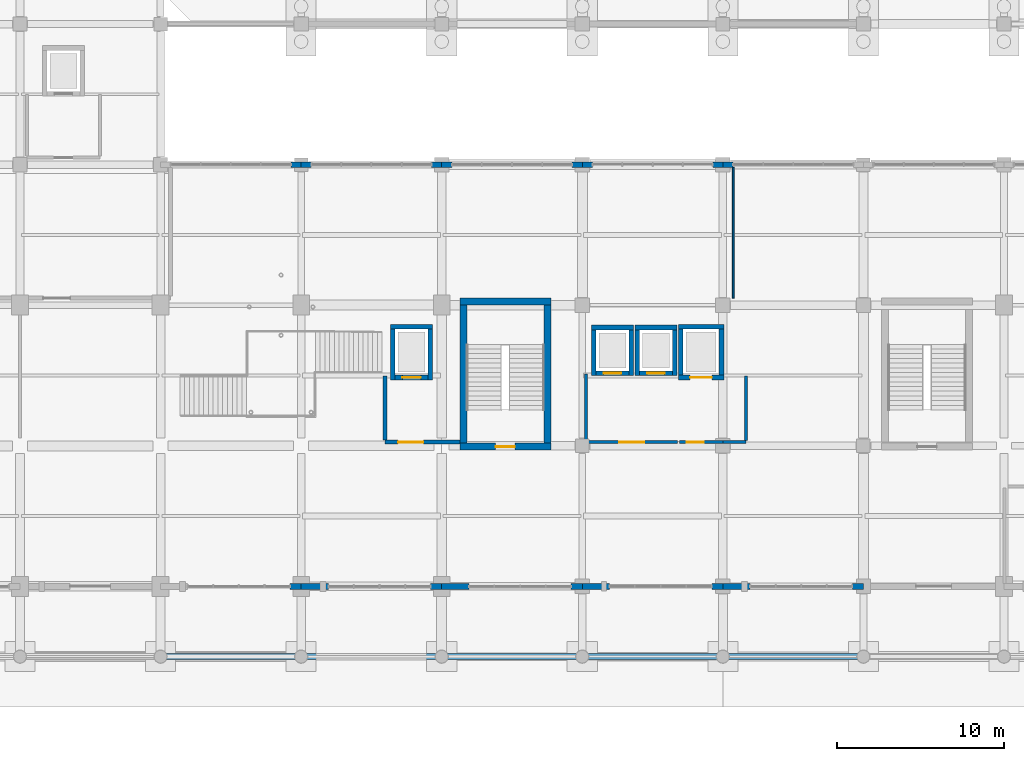
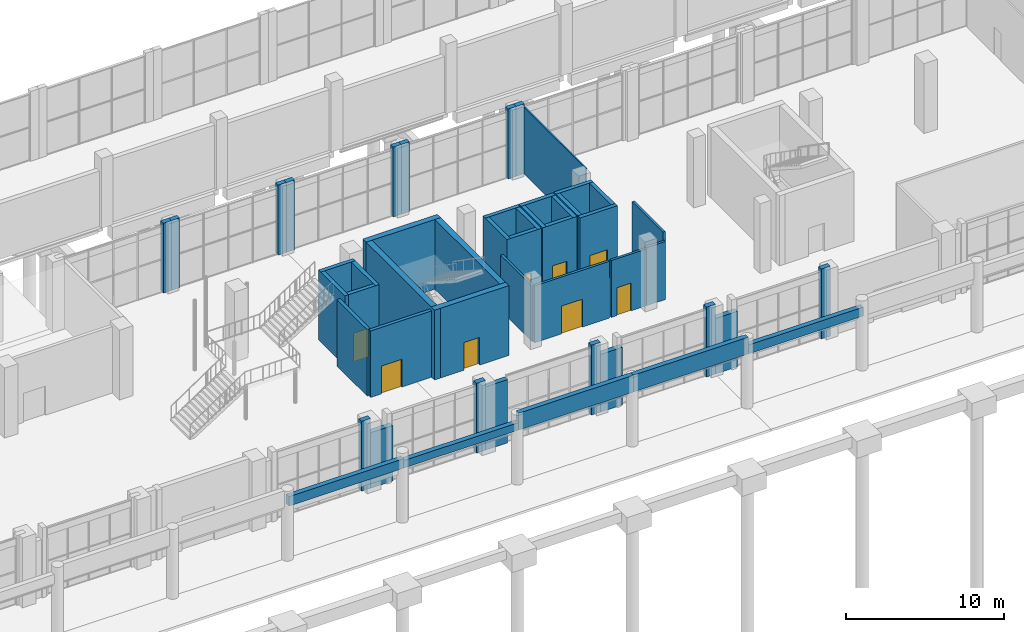
# One storey, part 66 of 82: 50 walls, 8 doors, 8 openings.
"""IFC4 building model written with IfcOpenShell, lengths in metres."""

from ifc_helpers import new_model, si_unit, derived_unit, direction, frame, frame_2d, origin, place, context, subcontext, project, spatial, rectangle, extrude, material, layer, layer_set, type_object, element, fill, save


model = new_model("IFC4")

# Units and contexts
model_context = context("Model", 3, precision=1e-05, world=origin(), true_north=direction((0.0, 1.0)))
body_context = subcontext(model_context, "Body", "Model", "MODEL_VIEW")
ifc_project = project(units=[si_unit("LENGTHUNIT", "METRE"), si_unit("AREAUNIT", "SQUARE_METRE"), si_unit("VOLUMEUNIT", "CUBIC_METRE"), si_unit("PLANEANGLEUNIT", "RADIAN"), si_unit("MASSUNIT", "GRAM", prefix="KILO"), derived_unit("THERMALTRANSMITTANCEUNIT", [(si_unit("POWERUNIT", "WATT"), 1), (si_unit("LENGTHUNIT", "METRE"), -2), (si_unit("THERMODYNAMICTEMPERATUREUNIT", "KELVIN"), -1)])], contexts=[model_context])

# Site, building, storey
site_placement = place(None, origin())
site = spatial("IfcSite", under=ifc_project, at=site_placement, CompositionType="ELEMENT")
building_placement = place(site_placement, origin())
building = spatial("IfcBuilding", under=site, at=building_placement, Name="Barrovel Congress Hotel", CompositionType="ELEMENT")
storey_placement = place(building_placement, origin())
storey = spatial("IfcBuildingStorey", under=building, at=storey_placement, Name="L00", CompositionType="ELEMENT", Elevation=0.0)

# Walls
ifc_material_1 = material(Name="Fired Clay Brick Masonry", Category="masonry")
ifc_layer_1 = layer(ifc_material_1, 0.35009765625)
ifc_layer_set_1 = layer_set([ifc_layer_1], Name="Fired Clay Brick Masonry")
wall_type_1 = type_object("IfcWallType", Name="EW-ARC350", PredefinedType="STANDARD", material=ifc_layer_set_1)
wall_1_placement = place(storey_placement, frame((58.800048828125, 0.0, 4.10009765625), z_axis=(0.0, 0.0, 1.0), x_axis=(1.0, 0.0, 0.0)))
element("IfcWall", 1, at=wall_1_placement, inside=storey, type_object=wall_type_1, Name="EW:L00:ARC:07", PredefinedType="STANDARD", context=body_context, shape_type="SweptSolid", body=[
    extrude(rectangle(XDim=8.39990234375, YDim=0.35009765625, at=frame_2d((4.199951171875, 0.0))), origin(), (0.0, 0.0, 1.0), 0.72998046875),
])
wall_2_placement = place(storey_placement, frame((67.199951171875, 0.0, 4.10009765625), z_axis=(0.0, 0.0, 1.0), x_axis=(1.0, 0.0, 0.0)))
element("IfcWall", 2, at=wall_2_placement, inside=storey, type_object=wall_type_1, Name="EW:L00:ARC:08", PredefinedType="STANDARD", context=body_context, shape_type="SweptSolid", body=[
    extrude(rectangle(XDim=8.400146484375, YDim=0.35009765625, at=frame_2d((4.2001953125, 0.0))), origin(), (0.0, 0.0, 1.0), 0.579833984375),
])
for number, where, z_axis, x_axis, name in (
    (3, (75.60009765625, 0.0, 4.10009765625), (0.0, 0.0, 1.0), (1.0, 0.0, 0.0), "EW:L00:ARC:09"),
    (4, (84.0, 0.0, 4.10009765625), (0.0, 0.0, 1.0), (1.0, 0.0, 0.0), "EW:L00:ARC:10"),
):
    element("IfcWall", number, at=place(storey_placement, frame(where, z_axis=z_axis, x_axis=x_axis)), inside=storey, type_object=wall_type_1, Name=name, PredefinedType="STANDARD", context=body_context, shape_type="SweptSolid", body=[
        extrude(rectangle(XDim=8.39990234375, YDim=0.35009765625, at=frame_2d((4.199951171875, 0.0))), origin(), (0.0, 0.0, 1.0), 1.2998046875),
    ])
wall_3_placement = place(storey_placement, frame((92.39990234375, 0.0, 4.10009765625), z_axis=(0.0, 0.0, 1.0), x_axis=(1.0, 0.0, 0.0)))
element("IfcWall", 5, at=wall_3_placement, inside=storey, type_object=wall_type_1, Name="EW:L00:ARC:11", PredefinedType="STANDARD", context=body_context, shape_type="SweptSolid", body=[
    extrude(rectangle(XDim=8.400146484375, YDim=0.35009765625, at=frame_2d((4.2001953125, 0.0))), origin(), (0.0, 0.0, 1.0), 0.685791015625),
])
ifc_layer_2 = layer(ifc_material_1, 0.340087890625)
ifc_layer_set_2 = layer_set([ifc_layer_2], Name="Fired Clay Brick Masonry")
wall_type_2 = type_object("IfcWallType", Name="EW-BRK340", PredefinedType="STANDARD", material=ifc_layer_set_2)
wall_4_placement = place(storey_placement, frame((93.0, 29.39990234375, 0.0), z_axis=(0.0, 0.0, 1.0), x_axis=(-1.0, 0.0, 0.0)))
element("IfcWall", 6, at=wall_4_placement, inside=storey, type_object=wall_type_2, Name="EW:L00:CSJ-L:11", PredefinedType="STANDARD", context=body_context, shape_type="SweptSolid", body=[
    extrude(rectangle(XDim=0.60009765625, YDim=0.340087890625, at=frame_2d((0.300048828125, 0.0))), origin(), (0.0, 0.0, 1.0), 5.39990234375),
])
wall_5_placement = place(storey_placement, frame((92.39990234375, 29.39990234375, 0.0), z_axis=(0.0, 0.0, 1.0), x_axis=(-1.0, 0.0, 0.0)))
element("IfcWall", 7, at=wall_5_placement, inside=storey, type_object=wall_type_2, Name="EW:L00:CSJ-R:10", PredefinedType="STANDARD", context=body_context, shape_type="SweptSolid", body=[
    extrude(rectangle(XDim=0.599853515625, YDim=0.340087890625, at=frame_2d((0.2998046875, 0.0))), origin(), (0.0, 0.0, 1.0), 5.39990234375),
])
for number, where, z_axis, x_axis, name in (
    (8, (84.60009765625, 29.39990234375, 0.0), (0.0, 0.0, 1.0), (-1.0, 0.0, 0.0), "EW:L00:CSJ-L:10"),
    (9, (84.0, 29.39990234375, 0.0), (0.0, 0.0, 1.0), (-1.0, 0.0, 0.0), "EW:L00:CSJ-R:9"),
):
    element("IfcWall", number, at=place(storey_placement, frame(where, z_axis=z_axis, x_axis=x_axis)), inside=storey, type_object=wall_type_2, Name=name, PredefinedType="STANDARD", context=body_context, shape_type="SweptSolid", body=[
        extrude(rectangle(XDim=0.60009765625, YDim=0.340087890625, at=frame_2d((0.300048828125, 0.0))), origin(), (0.0, 0.0, 1.0), 5.39990234375),
    ])
wall_6_placement = place(storey_placement, frame((76.199951171875, 29.39990234375, 0.0), z_axis=(0.0, 0.0, 1.0), x_axis=(-1.0, 0.0, 0.0)))
element("IfcWall", 10, at=wall_6_placement, inside=storey, type_object=wall_type_2, Name="EW:L00:CSJ-L:9", PredefinedType="STANDARD", context=body_context, shape_type="SweptSolid", body=[
    extrude(rectangle(XDim=0.599853515625, YDim=0.340087890625, at=frame_2d((0.2998046875, 0.0))), origin(), (0.0, 0.0, 1.0), 5.39990234375),
])
for number, where, z_axis, x_axis, name in (
    (11, (75.60009765625, 29.39990234375, 0.0), (0.0, 0.0, 1.0), (-1.0, 0.0, 0.0), "EW:L00:CSJ-R:8"),
    (12, (67.800048828125, 29.39990234375, 0.0), (0.0, 0.0, 1.0), (-1.0, 0.0, 0.0), "EW:L00:CSJ-L:8"),
):
    element("IfcWall", number, at=place(storey_placement, frame(where, z_axis=z_axis, x_axis=x_axis)), inside=storey, type_object=wall_type_2, Name=name, PredefinedType="STANDARD", context=body_context, shape_type="SweptSolid", body=[
        extrude(rectangle(XDim=0.60009765625, YDim=0.340087890625, at=frame_2d((0.300048828125, 0.0))), origin(), (0.0, 0.0, 1.0), 5.39990234375),
    ])
wall_7_placement = place(storey_placement, frame((67.199951171875, 29.39990234375, 0.0), z_axis=(0.0, 0.0, 1.0), x_axis=(-1.0, 0.0, 0.0)))
element("IfcWall", 13, at=wall_7_placement, inside=storey, type_object=wall_type_2, Name="EW:L00:CSJ-R:7", PredefinedType="STANDARD", context=body_context, shape_type="SweptSolid", body=[
    extrude(rectangle(XDim=0.599853515625, YDim=0.340087890625, at=frame_2d((0.2998046875, 0.0))), origin(), (0.0, 0.0, 1.0), 5.39990234375),
])
ifc_layer_3 = layer(ifc_material_1, 0.360107421875)
ifc_layer_set_3 = layer_set([ifc_layer_3], Name="Fired Clay Brick Masonry")
wall_type_3 = type_object("IfcWallType", Name="EW-BRK360", PredefinedType="STANDARD", material=ifc_layer_set_3)
wall_8_placement = place(storey_placement, frame((66.5400390625, 4.199951171875, 0.0), z_axis=(0.0, 0.0, 1.0), x_axis=(1.0, 0.0, 0.0)))
element("IfcWall", 14, at=wall_8_placement, inside=storey, type_object=wall_type_3, Name="EW:L00:SJ-R:7", PredefinedType="STANDARD", context=body_context, shape_type="SweptSolid", body=[
    extrude(rectangle(XDim=0.659912109375, YDim=0.360107421875, at=frame_2d((0.330078125, 0.0))), origin(), (0.0, 0.0, 1.0), 5.39990234375),
])
wall_9_placement = place(storey_placement, frame((67.199951171875, 4.199951171875, 0.0), z_axis=(0.0, 0.0, 1.0), x_axis=(1.0, 0.0, 0.0)))
element("IfcWall", 15, at=wall_9_placement, inside=storey, type_object=wall_type_3, Name="EW:L00:SJ-L:8", PredefinedType="STANDARD", context=body_context, shape_type="SweptSolid", body=[
    extrude(rectangle(XDim=1.6201171875, YDim=0.360107421875, at=frame_2d((0.81005859375, 0.0))), origin(), (0.0, 0.0, 1.0), 4.2900390625),
])
wall_10_placement = place(storey_placement, frame((74.93994140625, 4.199951171875, 0.0), z_axis=(0.0, 0.0, 1.0), x_axis=(1.0, 0.0, 0.0)))
element("IfcWall", 16, at=wall_10_placement, inside=storey, type_object=wall_type_3, Name="EW:L00:SJ-R:8", PredefinedType="STANDARD", context=body_context, shape_type="SweptSolid", body=[
    extrude(rectangle(XDim=0.66015625, YDim=0.360107421875, at=frame_2d((0.330078125, 0.0))), origin(), (0.0, 0.0, 1.0), 5.39990234375),
])
wall_11_placement = place(storey_placement, frame((75.60009765625, 4.199951171875, 0.0), z_axis=(0.0, 0.0, 1.0), x_axis=(1.0, 0.0, 0.0)))
element("IfcWall", 17, at=wall_11_placement, inside=storey, type_object=wall_type_3, Name="EW:L00:SJ-L:9", PredefinedType="STANDARD", context=body_context, shape_type="SweptSolid", body=[
    extrude(rectangle(XDim=1.619873046875, YDim=0.360107421875, at=frame_2d((0.81005859375, 0.0))), origin(), (0.0, 0.0, 1.0), 4.89306640625),
])
wall_12_placement = place(storey_placement, frame((83.340087890625, 4.199951171875, 0.0), z_axis=(0.0, 0.0, 1.0), x_axis=(1.0, 0.0, 0.0)))
element("IfcWall", 18, at=wall_12_placement, inside=storey, type_object=wall_type_3, Name="EW:L00:SJ-R:9", PredefinedType="STANDARD", context=body_context, shape_type="SweptSolid", body=[
    extrude(rectangle(XDim=0.659912109375, YDim=0.360107421875, at=frame_2d((0.330078125, 0.0))), origin(), (0.0, 0.0, 1.0), 5.39990234375),
])
wall_13_placement = place(storey_placement, frame((84.0, 4.199951171875, 0.0), z_axis=(0.0, 0.0, 1.0), x_axis=(1.0, 0.0, 0.0)))
element("IfcWall", 19, at=wall_13_placement, inside=storey, type_object=wall_type_3, Name="EW:L00:SJ-L:10", PredefinedType="STANDARD", context=body_context, shape_type="SweptSolid", body=[
    extrude(rectangle(XDim=1.6201171875, YDim=0.360107421875, at=frame_2d((0.81005859375, 0.0))), origin(), (0.0, 0.0, 1.0), 4.4560546875),
])
wall_14_placement = place(storey_placement, frame((91.739990234375, 4.199951171875, 0.0), z_axis=(0.0, 0.0, 1.0), x_axis=(1.0, 0.0, 0.0)))
element("IfcWall", 20, at=wall_14_placement, inside=storey, type_object=wall_type_3, Name="EW:L00:SJ-R:10", PredefinedType="STANDARD", context=body_context, shape_type="SweptSolid", body=[
    extrude(rectangle(XDim=0.659912109375, YDim=0.360107421875, at=frame_2d((0.330078125, 0.0))), origin(), (0.0, 0.0, 1.0), 5.39990234375),
])
wall_15_placement = place(storey_placement, frame((92.39990234375, 4.199951171875, 0.0), z_axis=(0.0, 0.0, 1.0), x_axis=(1.0, 0.0, 0.0)))
element("IfcWall", 21, at=wall_15_placement, inside=storey, type_object=wall_type_3, Name="EW:L00:SJ-L:11", PredefinedType="STANDARD", context=body_context, shape_type="SweptSolid", body=[
    extrude(rectangle(XDim=1.6201171875, YDim=0.360107421875, at=frame_2d((0.81005859375, 0.0))), origin(), (0.0, 0.0, 1.0), 4.2900390625),
])
wall_16_placement = place(storey_placement, frame((100.139892578125, 4.199951171875, 0.0), z_axis=(0.0, 0.0, 1.0), x_axis=(1.0, 0.0, 0.0)))
element("IfcWall", 22, at=wall_16_placement, inside=storey, type_object=wall_type_3, Name="EW:L00:SJ-R:11", PredefinedType="STANDARD", context=body_context, shape_type="SweptSolid", body=[
    extrude(rectangle(XDim=0.66015625, YDim=0.360107421875, at=frame_2d((0.330078125, 0.0))), origin(), (0.0, 0.0, 1.0), 5.39990234375),
])

# Wall, opening, door
ifc_material_2 = material(Name="Gypsum Acoustic Stud", Category="gypsum")
ifc_layer_4 = layer(ifc_material_2, 0.179931640625)
ifc_layer_set_4 = layer_set([ifc_layer_4], Name="Gypsum Acoustic Stud")
wall_type_4 = type_object("IfcWallType", Name="PW-ACU-180", PredefinedType="PARTITIONING", material=ifc_layer_set_4)
wall_17_placement = place(storey_placement, frame((84.219970703125, 12.820068359375, 0.0), z_axis=(0.0, 0.0, 1.0), x_axis=(1.0, 0.0, 0.0)))
wall_17 = element("IfcWall", 23, at=wall_17_placement, inside=storey, type_object=wall_type_4, Name="RW:SP:L00:LL-C2:S", PredefinedType="PARTITIONING", context=body_context, shape_type="SweptSolid", body=[
    extrude(rectangle(XDim=5.4599609375, YDim=0.179931640625, at=frame_2d((2.72998046875, 0.0))), origin(), (0.0, 0.0, 1.0), 4.389892578125),
])
opening_1_placement = place(wall_17_placement, frame((1.97998046875, 0.0, 0.0)))
opening_1 = element("IfcOpeningElement", 24, at=opening_1_placement, cuts=wall_17, Name="Opening ID-FFL", PredefinedType="OPENING", context=body_context, shape_type="SweptSolid", body=[
    extrude(rectangle(XDim=1.5, YDim=2.14990234375, at=frame_2d((0.75, 1.074951171875))), frame((0.0, 0.10009765625, 0.0), z_axis=(0.0, -1.0, 0.0), x_axis=(1.0, 0.0, 0.0)), (0.0, 0.0, 1.0), 0.199951171875),
])
ifc_material_3 = material(Name="Painted Hollow-Metal Steel Door", Category="steel")
door_type_1 = type_object("IfcDoorType", Name="IDR-ID-FFL", OperationType="NOTDEFINED", PredefinedType="DOOR", material=ifc_material_3)
door_1_placement = place(opening_1_placement, origin())
door_1 = element("IfcDoor", 25, at=door_1_placement, inside=storey, type_object=door_type_1, Name="RD:SP:L00:LL-C2", OperationType="DOUBLE_DOOR_SINGLE_SWING", OverallHeight=2.14990234375, OverallWidth=1.5, PredefinedType="DOOR", context=body_context, shape_type="SweptSolid", body=[
    extrude(rectangle(XDim=1.5, YDim=2.14990234375, at=frame_2d((0.75, 1.074951171875))), frame((0.0, 0.02490234375, 0.0), z_axis=(0.0, -1.0, 0.0), x_axis=(1.0, 0.0, 0.0)), (0.0, 0.0, 1.0), 0.050048828125),
])
fill(opening_1, door_1)

# Wall
wall_18_placement = place(storey_placement, frame((84.219970703125, 12.909912109375, 0.0), z_axis=(0.0, 0.0, 1.0), x_axis=(0.0, 1.0, 0.0)))
element("IfcWall", 26, at=wall_18_placement, inside=storey, type_object=wall_type_4, Name="RW:SP:L00:LL-C2:W", PredefinedType="PARTITIONING", context=body_context, shape_type="SweptSolid", body=[
    extrude(rectangle(XDim=3.969970703125, YDim=0.179931640625, at=frame_2d((1.98486328125, 0.0))), origin(), (0.0, 0.0, 1.0), 4.2900390625),
])

# Wall, opening, door
wall_19_placement = place(storey_placement, frame((89.820068359375, 12.820068359375, 0.0), z_axis=(0.0, 0.0, 1.0), x_axis=(1.0, 0.0, 0.0)))
wall_19 = element("IfcWall", 27, at=wall_19_placement, inside=storey, type_object=wall_type_4, Name="RW:SP:L00:LL-SL2:S", PredefinedType="PARTITIONING", context=body_context, shape_type="SweptSolid", body=[
    extrude(rectangle(XDim=2.579833984375, YDim=0.179931640625, at=frame_2d((1.2900390625, 0.0))), origin(), (0.0, 0.0, 1.0), 4.389892578125),
])
opening_2_placement = place(wall_19_placement, frame((0.419921875, 0.0, 0.0)))
opening_2 = element("IfcOpeningElement", 28, at=opening_2_placement, cuts=wall_19, Name="Opening ID-ACC", PredefinedType="OPENING", context=body_context, shape_type="SweptSolid", body=[
    extrude(rectangle(XDim=1.02001953125, YDim=2.14990234375, at=frame_2d((0.510009765625, 1.074951171875))), frame((0.0, 0.10009765625, 0.0), z_axis=(0.0, -1.0, 0.0), x_axis=(1.0, 0.0, 0.0)), (0.0, 0.0, 1.0), 0.199951171875),
])
ifc_material_4 = material(Name="Solid Oak Acoustic Timber Door", Category="wood")
door_type_2 = type_object("IfcDoorType", Name="IDR-ID-ACC", OperationType="NOTDEFINED", PredefinedType="DOOR", material=ifc_material_4)
door_2_placement = place(opening_2_placement, origin())
door_2 = element("IfcDoor", 29, at=door_2_placement, inside=storey, type_object=door_type_2, Name="RD:SP:L00:LL-SL2", OperationType="SINGLE_SWING_LEFT", OverallHeight=2.14990234375, OverallWidth=1.02001953125, PredefinedType="DOOR", context=body_context, shape_type="SweptSolid", body=[
    extrude(rectangle(XDim=1.02001953125, YDim=2.14990234375, at=frame_2d((0.510009765625, 1.074951171875))), frame((0.0, 0.02490234375, 0.0), z_axis=(0.0, -1.0, 0.0), x_axis=(1.0, 0.0, 0.0)), (0.0, 0.0, 1.0), 0.050048828125),
])
fill(opening_2, door_2)

# Walls
wall_20_placement = place(storey_placement, frame((93.780029296875, 12.909912109375, 0.0), z_axis=(0.0, 0.0, 1.0), x_axis=(0.0, 1.0, 0.0)))
element("IfcWall", 30, at=wall_20_placement, inside=storey, type_object=wall_type_4, Name="RW:SP:L00:LL-SL2:E", PredefinedType="PARTITIONING", context=body_context, shape_type="SweptSolid", body=[
    extrude(rectangle(XDim=3.8701171875, YDim=0.179931640625, at=frame_2d((1.93505859375, 0.0))), origin(), (0.0, 0.0, 1.0), 5.135009765625),
])
wall_21_placement = place(storey_placement, frame((92.39990234375, 12.820068359375, 0.0), z_axis=(0.0, 0.0, 1.0), x_axis=(1.0, 0.0, 0.0)))
element("IfcWall", 31, at=wall_21_placement, inside=storey, type_object=wall_type_4, Name="RW:SP:L00:LL-SL2:S:P02", PredefinedType="PARTITIONING", context=body_context, shape_type="SweptSolid", body=[
    extrude(rectangle(XDim=1.380126953125, YDim=0.179931640625, at=frame_2d((0.68994140625, 0.0))), origin(), (0.0, 0.0, 1.0), 4.489990234375),
])
ifc_layer_5 = layer(ifc_material_2, 0.10009765625)
ifc_layer_set_5 = layer_set([ifc_layer_5], Name="Gypsum Acoustic Stud")
wall_type_5 = type_object("IfcWallType", Name="PW-LGT-100", PredefinedType="PARTITIONING", material=ifc_layer_set_5)
wall_22_placement = place(storey_placement, frame((93.02001953125, 21.419921875, 0.0), z_axis=(0.0, 0.0, 1.0), x_axis=(0.0, 1.0, 0.0)))
element("IfcWall", 32, at=wall_22_placement, inside=storey, type_object=wall_type_5, Name="RW:SP:L00:VIP-LG:W", PredefinedType="PARTITIONING", context=body_context, shape_type="SweptSolid", body=[
    extrude(rectangle(XDim=7.81005859375, YDim=0.10009765625, at=frame_2d((3.905029296875, 0.0))), origin(), (0.0, 0.0, 1.0), 5.135009765625),
])

# Wall, opening, door
ifc_layer_6 = layer(ifc_material_1, 0.239990234375)
ifc_layer_set_6 = layer_set([ifc_layer_6], Name="Fired Clay Brick Masonry")
wall_type_6 = type_object("IfcWallType", Name="PW-MAS-240", PredefinedType="PARTITIONING", material=ifc_layer_set_6)
wall_23_placement = place(storey_placement, frame((72.219970703125, 12.820068359375, 0.0), z_axis=(0.0, 0.0, 1.0), x_axis=(1.0, 0.0, 0.0)))
wall_23 = element("IfcWall", 33, at=wall_23_placement, inside=storey, type_object=wall_type_6, Name="RW:SP:L00:FFL-2:S", PredefinedType="PARTITIONING", context=body_context, shape_type="SweptSolid", body=[
    extrude(rectangle(XDim=4.4599609375, YDim=0.239990234375, at=frame_2d((2.22998046875, 0.0))), origin(), (0.0, 0.0, 1.0), 5.135009765625),
])
opening_3_placement = place(wall_23_placement, frame((0.780029296875, 0.0, 0.0)))
opening_3 = element("IfcOpeningElement", 34, at=opening_3_placement, cuts=wall_23, Name="Opening ID-FFL", PredefinedType="OPENING", context=body_context, shape_type="SweptSolid", body=[
    extrude(rectangle(XDim=1.5, YDim=2.14990234375, at=frame_2d((0.75, 1.074951171875))), frame((0.0, 0.1298828125, 0.0), z_axis=(0.0, -1.0, 0.0), x_axis=(1.0, 0.0, 0.0)), (0.0, 0.0, 1.0), 0.260009765625),
])
door_3_placement = place(opening_3_placement, origin())
door_3 = element("IfcDoor", 35, at=door_3_placement, inside=storey, type_object=door_type_1, Name="RD:SP:L00:FFL-2", OperationType="DOUBLE_DOOR_SINGLE_SWING", OverallHeight=2.14990234375, OverallWidth=1.5, PredefinedType="DOOR", context=body_context, shape_type="SweptSolid", body=[
    extrude(rectangle(XDim=1.5, YDim=2.14990234375, at=frame_2d((0.75, 1.074951171875))), frame((0.0, 0.02490234375, 0.0), z_axis=(0.0, -1.0, 0.0), x_axis=(1.0, 0.0, 0.0)), (0.0, 0.0, 1.0), 0.050048828125),
])
fill(opening_3, door_3)

# Wall
wall_24_placement = place(storey_placement, frame((72.219970703125, 12.93994140625, 0.0), z_axis=(0.0, 0.0, 1.0), x_axis=(0.0, 1.0, 0.0)))
element("IfcWall", 36, at=wall_24_placement, inside=storey, type_object=wall_type_6, Name="RW:SP:L00:FFL-2:W", PredefinedType="PARTITIONING", context=body_context, shape_type="SweptSolid", body=[
    extrude(rectangle(XDim=3.840087890625, YDim=0.239990234375, at=frame_2d((1.919921875, 0.0))), origin(), (0.0, 0.0, 1.0), 5.135009765625),
])

# Wall, opening, door
ifc_material_5 = material(Name="Concrete C40", Category="concrete")
ifc_layer_7 = layer(ifc_material_5, 0.280029296875)
ifc_layer_set_7 = layer_set([ifc_layer_7], Name="Concrete C40")
wall_type_7 = type_object("IfcWallType", Name="SW-C40-280", PredefinedType="SHEAR", material=ifc_layer_set_7)
wall_25_placement = place(storey_placement, frame((72.5400390625, 16.679931640625, 0.0), z_axis=(0.0, 0.0, 1.0), x_axis=(1.0, 0.0, 0.0)))
wall_25 = element("IfcWall", 37, at=wall_25_placement, inside=storey, type_object=wall_type_7, Name="LSH:FL-2:L00:S", PredefinedType="SHEAR", context=body_context, shape_type="SweptSolid", body=[
    extrude(rectangle(XDim=2.52001953125, YDim=0.280029296875, at=frame_2d((1.260009765625, 0.0))), origin(), (0.0, 0.0, 1.0), 5.39990234375),
])
opening_4_placement = place(wall_25_placement, frame((0.7099609375, 0.0, 0.0)))
opening_4 = element("IfcOpeningElement", 38, at=opening_4_placement, cuts=wall_25, Name="Opening LD-FF", PredefinedType="OPENING", context=body_context, shape_type="SweptSolid", body=[
    extrude(rectangle(XDim=1.10009765625, YDim=2.199951171875, at=frame_2d((0.550048828125, 1.10009765625))), frame((0.0, 0.14990234375, 0.0), z_axis=(0.0, -1.0, 0.0), x_axis=(1.0, 0.0, 0.0)), (0.0, 0.0, 1.0), 0.300048828125),
])
ifc_material_6 = material(Name="Brushed Stainless Steel", Category="steel")
door_type_3 = type_object("IfcDoorType", Name="IDR-LD-FF", OperationType="NOTDEFINED", PredefinedType="DOOR", material=ifc_material_6)
door_4_placement = place(opening_4_placement, origin())
door_4 = element("IfcDoor", 39, at=door_4_placement, inside=storey, type_object=door_type_3, Name="Lift Landing Door LD-FL-2-L00", OperationType="SLIDING_TO_LEFT", OverallHeight=2.199951171875, OverallWidth=1.10009765625, PredefinedType="DOOR", context=body_context, shape_type="SweptSolid", body=[
    extrude(rectangle(XDim=1.10009765625, YDim=2.199951171875, at=frame_2d((0.550048828125, 1.10009765625))), frame((0.0, 0.02490234375, 0.0), z_axis=(0.0, -1.0, 0.0), x_axis=(1.0, 0.0, 0.0)), (0.0, 0.0, 1.0), 0.050048828125),
])
fill(opening_4, door_4)

# Walls
wall_26_placement = place(storey_placement, frame((74.919921875, 16.5400390625, 0.0), z_axis=(0.0, 0.0, 1.0), x_axis=(0.0, 1.0, 0.0)))
element("IfcWall", 40, at=wall_26_placement, inside=storey, type_object=wall_type_7, Name="LSH:FL-2:L00:E", PredefinedType="SHEAR", context=body_context, shape_type="SweptSolid", body=[
    extrude(rectangle(XDim=3.320068359375, YDim=0.280029296875, at=frame_2d((1.66015625, 0.0))), origin(), (0.0, 0.0, 1.0), 5.39990234375),
])
wall_27_placement = place(storey_placement, frame((75.06005859375, 19.719970703125, 0.0), z_axis=(0.0, 0.0, 1.0), x_axis=(-1.0, 0.0, 0.0)))
element("IfcWall", 41, at=wall_27_placement, inside=storey, type_object=wall_type_7, Name="LSH:FL-2:L00:N", PredefinedType="SHEAR", context=body_context, shape_type="SweptSolid", body=[
    extrude(rectangle(XDim=2.52001953125, YDim=0.280029296875, at=frame_2d((1.260009765625, 0.0))), origin(), (0.0, 0.0, 1.0), 5.39990234375),
])
wall_28_placement = place(storey_placement, frame((72.679931640625, 19.860107421875, 0.0), z_axis=(0.0, 0.0, 1.0), x_axis=(0.0, -1.0, 0.0)))
element("IfcWall", 42, at=wall_28_placement, inside=storey, type_object=wall_type_7, Name="LSH:FL-2:L00:W", PredefinedType="SHEAR", context=body_context, shape_type="SweptSolid", body=[
    extrude(rectangle(XDim=3.320068359375, YDim=0.280029296875, at=frame_2d((1.66015625, 0.0))), origin(), (0.0, 0.0, 1.0), 5.39990234375),
])

# Wall, opening, door
wall_29_placement = place(storey_placement, frame((84.5400390625, 16.929931640625, 0.0), z_axis=(0.0, 0.0, 1.0), x_axis=(1.0, 0.0, 0.0)))
wall_29 = element("IfcWall", 43, at=wall_29_placement, inside=storey, type_object=wall_type_7, Name="LSH:PL-3:L00:S", PredefinedType="SHEAR", context=body_context, shape_type="SweptSolid", body=[
    extrude(rectangle(XDim=2.52001953125, YDim=0.280029296875, at=frame_2d((1.260009765625, 0.0))), origin(), (0.0, 0.0, 1.0), 5.39990234375),
])
opening_5_placement = place(wall_29_placement, frame((0.735107421875, 0.0, 0.0)))
opening_5 = element("IfcOpeningElement", 44, at=opening_5_placement, cuts=wall_29, Name="Opening LD-PAX", PredefinedType="OPENING", context=body_context, shape_type="SweptSolid", body=[
    extrude(rectangle(XDim=1.050048828125, YDim=2.199951171875, at=frame_2d((0.52490234375, 1.10009765625))), frame((0.0, 0.14990234375, 0.0), z_axis=(0.0, -1.0, 0.0), x_axis=(1.0, 0.0, 0.0)), (0.0, 0.0, 1.0), 0.300048828125),
])
door_type_4 = type_object("IfcDoorType", Name="IDR-LD-PAX", OperationType="NOTDEFINED", PredefinedType="DOOR", material=ifc_material_6)
door_5_placement = place(opening_5_placement, origin())
door_5 = element("IfcDoor", 45, at=door_5_placement, inside=storey, type_object=door_type_4, Name="Lift Landing Door LD-PL-3-L00", OperationType="SLIDING_TO_LEFT", OverallHeight=2.199951171875, OverallWidth=1.050048828125, PredefinedType="DOOR", context=body_context, shape_type="SweptSolid", body=[
    extrude(rectangle(XDim=1.050048828125, YDim=2.199951171875, at=frame_2d((0.52490234375, 1.10009765625))), frame((0.0, 0.02490234375, 0.0), z_axis=(0.0, -1.0, 0.0), x_axis=(1.0, 0.0, 0.0)), (0.0, 0.0, 1.0), 0.050048828125),
])
fill(opening_5, door_5)

# Walls
wall_30_placement = place(storey_placement, frame((86.919921875, 16.7900390625, 0.0), z_axis=(0.0, 0.0, 1.0), x_axis=(0.0, 1.0, 0.0)))
element("IfcWall", 46, at=wall_30_placement, inside=storey, type_object=wall_type_7, Name="LSH:PL-3:L00:E", PredefinedType="SHEAR", context=body_context, shape_type="SweptSolid", body=[
    extrude(rectangle(XDim=3.02001953125, YDim=0.280029296875, at=frame_2d((1.510009765625, 0.0))), origin(), (0.0, 0.0, 1.0), 5.39990234375),
])
wall_31_placement = place(storey_placement, frame((87.06005859375, 19.669921875, 0.0), z_axis=(0.0, 0.0, 1.0), x_axis=(-1.0, 0.0, 0.0)))
element("IfcWall", 47, at=wall_31_placement, inside=storey, type_object=wall_type_7, Name="LSH:PL-3:L00:N", PredefinedType="SHEAR", context=body_context, shape_type="SweptSolid", body=[
    extrude(rectangle(XDim=2.52001953125, YDim=0.280029296875, at=frame_2d((1.260009765625, 0.0))), origin(), (0.0, 0.0, 1.0), 5.39990234375),
])
wall_32_placement = place(storey_placement, frame((84.679931640625, 19.81005859375, 0.0), z_axis=(0.0, 0.0, 1.0), x_axis=(0.0, -1.0, 0.0)))
element("IfcWall", 48, at=wall_32_placement, inside=storey, type_object=wall_type_7, Name="LSH:PL-3:L00:W", PredefinedType="SHEAR", context=body_context, shape_type="SweptSolid", body=[
    extrude(rectangle(XDim=3.02001953125, YDim=0.280029296875, at=frame_2d((1.510009765625, 0.0))), origin(), (0.0, 0.0, 1.0), 5.39990234375),
])

# Wall, opening, door
wall_33_placement = place(storey_placement, frame((87.139892578125, 16.929931640625, 0.0), z_axis=(0.0, 0.0, 1.0), x_axis=(1.0, 0.0, 0.0)))
wall_33 = element("IfcWall", 49, at=wall_33_placement, inside=storey, type_object=wall_type_7, Name="LSH:PL-4:L00:S", PredefinedType="SHEAR", context=body_context, shape_type="SweptSolid", body=[
    extrude(rectangle(XDim=2.52001953125, YDim=0.280029296875, at=frame_2d((1.260009765625, 0.0))), origin(), (0.0, 0.0, 1.0), 5.39990234375),
])
opening_6_placement = place(wall_33_placement, frame((0.735107421875, 0.0, 0.0)))
opening_6 = element("IfcOpeningElement", 50, at=opening_6_placement, cuts=wall_33, Name="Opening LD-PAX", PredefinedType="OPENING", context=body_context, shape_type="SweptSolid", body=[
    extrude(rectangle(XDim=1.050048828125, YDim=2.199951171875, at=frame_2d((0.52490234375, 1.10009765625))), frame((0.0, 0.14990234375, 0.0), z_axis=(0.0, -1.0, 0.0), x_axis=(1.0, 0.0, 0.0)), (0.0, 0.0, 1.0), 0.300048828125),
])
door_6_placement = place(opening_6_placement, origin())
door_6 = element("IfcDoor", 51, at=door_6_placement, inside=storey, type_object=door_type_4, Name="Lift Landing Door LD-PL-4-L00", OperationType="SLIDING_TO_LEFT", OverallHeight=2.199951171875, OverallWidth=1.050048828125, PredefinedType="DOOR", context=body_context, shape_type="SweptSolid", body=[
    extrude(rectangle(XDim=1.050048828125, YDim=2.199951171875, at=frame_2d((0.52490234375, 1.10009765625))), frame((0.0, 0.02490234375, 0.0), z_axis=(0.0, -1.0, 0.0), x_axis=(1.0, 0.0, 0.0)), (0.0, 0.0, 1.0), 0.050048828125),
])
fill(opening_6, door_6)

# Walls
wall_34_placement = place(storey_placement, frame((89.52001953125, 16.7900390625, 0.0), z_axis=(0.0, 0.0, 1.0), x_axis=(0.0, 1.0, 0.0)))
element("IfcWall", 52, at=wall_34_placement, inside=storey, type_object=wall_type_7, Name="LSH:PL-4:L00:E", PredefinedType="SHEAR", context=body_context, shape_type="SweptSolid", body=[
    extrude(rectangle(XDim=3.02001953125, YDim=0.280029296875, at=frame_2d((1.510009765625, 0.0))), origin(), (0.0, 0.0, 1.0), 5.39990234375),
])
wall_35_placement = place(storey_placement, frame((89.659912109375, 19.669921875, 0.0), z_axis=(0.0, 0.0, 1.0), x_axis=(-1.0, 0.0, 0.0)))
element("IfcWall", 53, at=wall_35_placement, inside=storey, type_object=wall_type_7, Name="LSH:PL-4:L00:N", PredefinedType="SHEAR", context=body_context, shape_type="SweptSolid", body=[
    extrude(rectangle(XDim=2.52001953125, YDim=0.280029296875, at=frame_2d((1.260009765625, 0.0))), origin(), (0.0, 0.0, 1.0), 5.39990234375),
])
wall_36_placement = place(storey_placement, frame((87.280029296875, 19.81005859375, 0.0), z_axis=(0.0, 0.0, 1.0), x_axis=(0.0, -1.0, 0.0)))
element("IfcWall", 54, at=wall_36_placement, inside=storey, type_object=wall_type_7, Name="LSH:PL-4:L00:W", PredefinedType="SHEAR", context=body_context, shape_type="SweptSolid", body=[
    extrude(rectangle(XDim=3.02001953125, YDim=0.280029296875, at=frame_2d((1.510009765625, 0.0))), origin(), (0.0, 0.0, 1.0), 5.39990234375),
])

# Wall, opening, door
wall_37_placement = place(storey_placement, frame((89.739990234375, 16.679931640625, 0.0), z_axis=(0.0, 0.0, 1.0), x_axis=(1.0, 0.0, 0.0)))
wall_37 = element("IfcWall", 55, at=wall_37_placement, inside=storey, type_object=wall_type_7, Name="LSH:SL-2:L00:S", PredefinedType="SHEAR", context=body_context, shape_type="SweptSolid", body=[
    extrude(rectangle(XDim=2.719970703125, YDim=0.280029296875, at=frame_2d((1.35986328125, 0.0))), origin(), (0.0, 0.0, 1.0), 5.39990234375),
])
opening_7_placement = place(wall_37_placement, frame((0.7099609375, 0.0, 0.0)))
opening_7 = element("IfcOpeningElement", 56, at=opening_7_placement, cuts=wall_37, Name="Opening LD-SRV", PredefinedType="OPENING", context=body_context, shape_type="SweptSolid", body=[
    extrude(rectangle(XDim=1.300048828125, YDim=2.25, at=frame_2d((0.64990234375, 1.125))), frame((0.0, 0.14990234375, 0.0), z_axis=(0.0, -1.0, 0.0), x_axis=(1.0, 0.0, 0.0)), (0.0, 0.0, 1.0), 0.300048828125),
])
door_type_5 = type_object("IfcDoorType", Name="IDR-LD-SRV", OperationType="NOTDEFINED", PredefinedType="DOOR", material=ifc_material_6)
door_7_placement = place(opening_7_placement, origin())
door_7 = element("IfcDoor", 57, at=door_7_placement, inside=storey, type_object=door_type_5, Name="Lift Landing Door LD-SL-2-L00", OperationType="SLIDING_TO_LEFT", OverallHeight=2.25, OverallWidth=1.300048828125, PredefinedType="DOOR", context=body_context, shape_type="SweptSolid", body=[
    extrude(rectangle(XDim=1.300048828125, YDim=2.25, at=frame_2d((0.64990234375, 1.125))), frame((0.0, 0.02490234375, 0.0), z_axis=(0.0, -1.0, 0.0), x_axis=(1.0, 0.0, 0.0)), (0.0, 0.0, 1.0), 0.050048828125),
])
fill(opening_7, door_7)

# Walls
wall_38_placement = place(storey_placement, frame((92.320068359375, 16.5400390625, 0.0), z_axis=(0.0, 0.0, 1.0), x_axis=(0.0, 1.0, 0.0)))
element("IfcWall", 58, at=wall_38_placement, inside=storey, type_object=wall_type_7, Name="LSH:SL-2:L00:E", PredefinedType="SHEAR", context=body_context, shape_type="SweptSolid", body=[
    extrude(rectangle(XDim=3.320068359375, YDim=0.280029296875, at=frame_2d((1.66015625, 0.0))), origin(), (0.0, 0.0, 1.0), 5.39990234375),
])
wall_39_placement = place(storey_placement, frame((92.4599609375, 19.719970703125, 0.0), z_axis=(0.0, 0.0, 1.0), x_axis=(-1.0, 0.0, 0.0)))
element("IfcWall", 59, at=wall_39_placement, inside=storey, type_object=wall_type_7, Name="LSH:SL-2:L00:N", PredefinedType="SHEAR", context=body_context, shape_type="SweptSolid", body=[
    extrude(rectangle(XDim=2.719970703125, YDim=0.280029296875, at=frame_2d((1.35986328125, 0.0))), origin(), (0.0, 0.0, 1.0), 5.39990234375),
])
wall_40_placement = place(storey_placement, frame((89.8798828125, 19.860107421875, 0.0), z_axis=(0.0, 0.0, 1.0), x_axis=(0.0, -1.0, 0.0)))
element("IfcWall", 60, at=wall_40_placement, inside=storey, type_object=wall_type_7, Name="LSH:SL-2:L00:W", PredefinedType="SHEAR", context=body_context, shape_type="SweptSolid", body=[
    extrude(rectangle(XDim=3.320068359375, YDim=0.280029296875, at=frame_2d((1.66015625, 0.0))), origin(), (0.0, 0.0, 1.0), 5.39990234375),
])

# Wall, opening, door
ifc_material_7 = material(Name="Concrete C50", Category="concrete")
ifc_layer_8 = layer(ifc_material_7, 0.419921875)
ifc_layer_set_8 = layer_set([ifc_layer_8], Name="Concrete C50")
wall_type_8 = type_object("IfcWallType", Name="SW-C50-420", PredefinedType="SHEAR", material=ifc_layer_set_8)
wall_41_placement = place(storey_placement, frame((76.679931640625, 12.550048828125, 0.0), z_axis=(0.0, 0.0, 1.0), x_axis=(1.0, 0.0, 0.0)))
wall_41 = element("IfcWall", 61, at=wall_41_placement, inside=storey, type_object=wall_type_8, Name="SHW:XS-02:L00:S", PredefinedType="SHEAR", context=body_context, shape_type="SweptSolid", body=[
    extrude(rectangle(XDim=5.440185546875, YDim=0.419921875, at=frame_2d((2.72021484375, 0.0))), origin(), (0.0, 0.0, 1.0), 5.39990234375),
])
opening_8_placement = place(wall_41_placement, frame((3.294921875, 0.0, 0.0), z_axis=(0.0, 0.0, 1.0), x_axis=(-1.0, 0.0, 0.0)))
opening_8 = element("IfcOpeningElement", 62, at=opening_8_placement, cuts=wall_41, Name="Opening ID-ST1", PredefinedType="OPENING", context=body_context, shape_type="SweptSolid", body=[
    extrude(rectangle(XDim=1.14990234375, YDim=2.14990234375, at=frame_2d((0.574951171875, 1.074951171875))), frame((0.0, 0.219970703125, 0.0), z_axis=(0.0, -1.0, 0.0), x_axis=(1.0, 0.0, 0.0)), (0.0, 0.0, 1.0), 0.43994140625),
])
door_type_6 = type_object("IfcDoorType", Name="IDR-ID-ST1", OperationType="NOTDEFINED", PredefinedType="DOOR", material=ifc_material_3)
door_8_placement = place(opening_8_placement, origin())
door_8 = element("IfcDoor", 63, at=door_8_placement, inside=storey, type_object=door_type_6, Name="Stair Core Fire Door XS-02-L00", OperationType="SINGLE_SWING_LEFT", OverallHeight=2.14990234375, OverallWidth=1.14990234375, PredefinedType="DOOR", context=body_context, shape_type="SweptSolid", body=[
    extrude(rectangle(XDim=1.14990234375, YDim=2.14990234375, at=frame_2d((0.574951171875, 1.074951171875))), frame((0.0, 0.02490234375, 0.0), z_axis=(0.0, -1.0, 0.0), x_axis=(1.0, 0.0, 0.0)), (0.0, 0.0, 1.0), 0.050048828125),
])
fill(opening_8, door_8)

# Walls
wall_42_placement = place(storey_placement, frame((81.909912109375, 12.340087890625, 0.0), z_axis=(0.0, 0.0, 1.0), x_axis=(0.0, 1.0, 0.0)))
element("IfcWall", 64, at=wall_42_placement, inside=storey, type_object=wall_type_8, Name="SHW:XS-02:L00:E", PredefinedType="SHEAR", context=body_context, shape_type="SweptSolid", body=[
    extrude(rectangle(XDim=9.079833984375, YDim=0.419921875, at=frame_2d((4.5400390625, 0.0))), origin(), (0.0, 0.0, 1.0), 5.39990234375),
])
wall_43_placement = place(storey_placement, frame((82.1201171875, 21.2099609375, 0.0), z_axis=(0.0, 0.0, 1.0), x_axis=(-1.0, 0.0, 0.0)))
element("IfcWall", 65, at=wall_43_placement, inside=storey, type_object=wall_type_8, Name="SHW:XS-02:L00:N", PredefinedType="SHEAR", context=body_context, shape_type="SweptSolid", body=[
    extrude(rectangle(XDim=5.440185546875, YDim=0.419921875, at=frame_2d((2.72021484375, 0.0))), origin(), (0.0, 0.0, 1.0), 5.39990234375),
])
wall_44_placement = place(storey_placement, frame((76.889892578125, 21.419921875, 0.0), z_axis=(0.0, 0.0, 1.0), x_axis=(0.0, -1.0, 0.0)))
element("IfcWall", 66, at=wall_44_placement, inside=storey, type_object=wall_type_8, Name="SHW:XS-02:L00:W", PredefinedType="SHEAR", context=body_context, shape_type="SweptSolid", body=[
    extrude(rectangle(XDim=9.079833984375, YDim=0.419921875, at=frame_2d((4.5400390625, 0.0))), origin(), (0.0, 0.0, 1.0), 5.39990234375),
])

save(model, "model.ifc")
